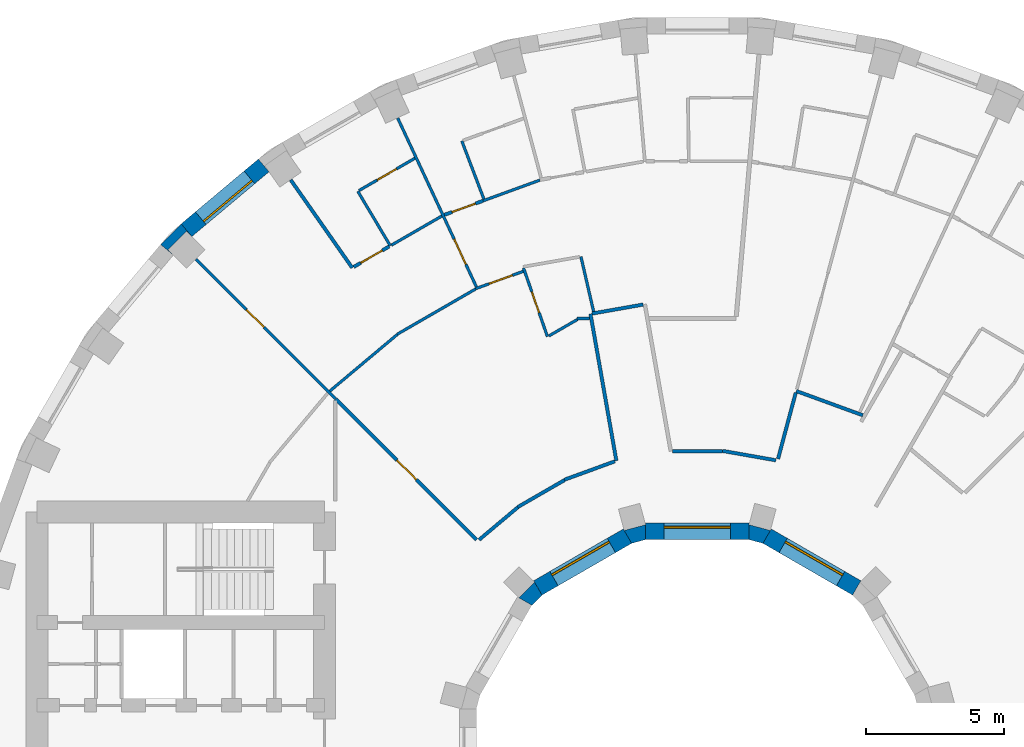
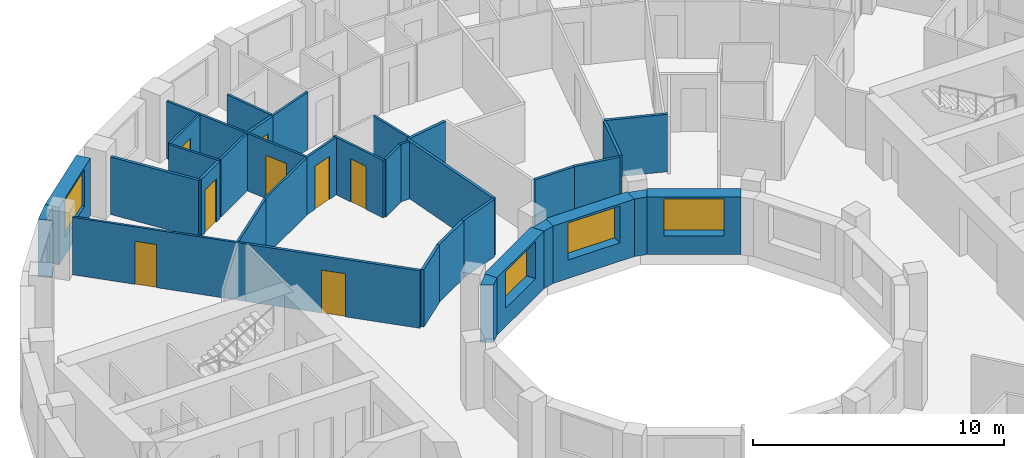
# One storey, part 11 of 16: 35 walls, 8 doors, 4 windows, 12 openings.
"""IFC4 building model written with IfcOpenShell, lengths in metres."""

from ifc_helpers import new_model, si_unit, direction, frame, frame_2d, origin, place, context, subcontext, project, spatial, polyline, rectangle, outline, extrude, material, layer, layer_set, type_object, element, fill, save


model = new_model("IFC4")

# Units and contexts
model_context = context("Model", 3, precision=1e-05, world=origin(), true_north=direction((0.0, 1.0)))
body_context = subcontext(model_context, "Body", "Model", "MODEL_VIEW")
ifc_project = project(units=[si_unit("LENGTHUNIT", "METRE"), si_unit("AREAUNIT", "SQUARE_METRE"), si_unit("VOLUMEUNIT", "CUBIC_METRE"), si_unit("PLANEANGLEUNIT", "RADIAN"), si_unit("MASSUNIT", "GRAM", prefix="KILO")], contexts=[model_context])

# Site, building, storey
site_placement = place(None, origin())
site = spatial("IfcSite", under=ifc_project, at=site_placement, CompositionType="ELEMENT")
building_placement = place(site_placement, origin())
building = spatial("IfcBuilding", under=site, at=building_placement, Name="Saqina Gate Tower", CompositionType="ELEMENT")
storey_placement = place(building_placement, frame((0.0, 0.0, 124.89990234375)))
storey = spatial("IfcBuildingStorey", under=building, at=storey_placement, Name="L35", CompositionType="ELEMENT", Elevation=124.89990234375)

# Wall
ifc_material_1 = material(Name="Brick masonry (buff)", Category="masonry")
wall_type_1 = type_object("IfcWallType", Name="BRICK PIER COPING BUFF", PredefinedType="SOLIDWALL", material=ifc_material_1)
wall_1_placement = place(storey_placement, origin())
element("IfcWall", 1, at=wall_1_placement, inside=storey, type_object=wall_type_1, Name="Pier cap L35 column 14", PredefinedType="SOLIDWALL", context=body_context, shape_type="SweptSolid", body=[
    extrude(outline(polyline([(-18.686279296875, 19.43212890625), (-19.43212890625, 18.686279296875), (-18.972412109375, 18.30078125), (-19.16259765625, 18.49072265625), (-18.49072265625, 19.16259765625), (-18.30078125, 18.972412109375), (-18.686279296875, 19.43212890625)])), origin(), (0.0, 0.0, 1.0), 2.800048828125),
])

# Wall, opening, window
ifc_material_2 = material(Name="Brick masonry (buff)", Category="masonry")
ifc_layer_1 = layer(ifc_material_2, 0.60009765625)
ifc_layer_set_1 = layer_set([ifc_layer_1], Name="FW-BRICK-BUFF")
wall_type_2 = type_object("IfcWallType", Name="FW-BRICK-BUFF", PredefinedType="SOLIDWALL", material=ifc_layer_set_1)
wall_2_placement = place(storey_placement, frame((-15.69921875, 21.547119140625, 0.0), z_axis=(0.0, 0.0, 1.0), x_axis=(-0.766055462616, -0.642774476932, 0.0)))
wall_2 = element("IfcWall", 2, at=wall_2_placement, inside=storey, type_object=wall_type_2, Name="Facade wall L35 facet 13", PredefinedType="SOLIDWALL", context=body_context, shape_type="SweptSolid", body=[
    extrude(rectangle(XDim=3.647705078125, YDim=0.60009765625, at=frame_2d((1.82373046875, 0.0))), origin(), (0.0, 0.0, 1.0), 2.800048828125),
])
opening_1_placement = place(wall_2_placement, frame((0.673828125, 0.0, 0.89990234375)))
opening_1 = element("IfcOpeningElement", 3, at=opening_1_placement, cuts=wall_2, Name="Opening G10-W11", PredefinedType="OPENING", context=body_context, shape_type="SweptSolid", body=[
    extrude(rectangle(XDim=2.300048828125, YDim=1.800048828125, at=frame_2d((1.14990234375, 0.89990234375))), frame((0.0, 0.31201171875, 0.0), z_axis=(0.0, -1.0, 0.0), x_axis=(1.0, 0.0, 0.0)), (0.0, 0.0, 1.0), 0.6240234375),
])
ifc_material_3 = material(Name="Aluminium glazing", Category="aluminium")
window_type_1 = type_object("IfcWindowType", Name="WN-B", PartitioningType="SINGLE_PANEL", PredefinedType="WINDOW", material=ifc_material_3)
window_1_placement = place(opening_1_placement, origin())
window_1 = element("IfcWindow", 4, at=window_1_placement, inside=storey, type_object=window_type_1, Name="Window L35 facet 13", OverallHeight=1.800048828125, OverallWidth=2.300048828125, PartitioningType="SINGLE_PANEL", PredefinedType="WINDOW", context=body_context, shape_type="SweptSolid", body=[
    extrude(rectangle(XDim=2.300048828125, YDim=1.800048828125, at=frame_2d((1.14990234375, 0.89990234375))), frame((0.0, 0.179931640625, 0.0), z_axis=(0.0, -1.0, 0.0), x_axis=(1.0, 0.0, 0.0)), (0.0, 0.0, 1.0), 0.06005859375),
])
fill(opening_1, window_1)

ifc_material_4 = material(Name="Glazed ceramic tile", Category="ceramic")
ifc_layer_2 = layer(ifc_material_4, 0.60009765625)
ifc_layer_set_2 = layer_set([ifc_layer_2], Name="IW-TILE")
wall_type_3 = type_object("IfcWallType", Name="IW-TILE", PredefinedType="SOLIDWALL", material=ifc_layer_set_2)
wall_3_placement = place(storey_placement, frame((5.772705078125, 6.251220703125, 0.0), z_axis=(0.0, 0.0, 1.0), x_axis=(-0.86604563398, 0.499964958637, 0.0)))
wall_3 = element("IfcWall", 5, at=wall_3_placement, inside=storey, type_object=wall_type_3, Name="Well wall L35 facet 2", PredefinedType="SOLIDWALL", context=body_context, shape_type="SweptSolid", body=[
    extrude(rectangle(XDim=3.747314453125, YDim=0.60009765625, at=frame_2d((1.87353515625, 0.0))), origin(), (0.0, 0.0, 1.0), 2.800048828125),
])
opening_2_placement = place(wall_3_placement, frame((0.673583984375, 0.0, 0.89990234375)))
opening_2 = element("IfcOpeningElement", 6, at=opening_2_placement, cuts=wall_3, Name="Opening G10-W24", PredefinedType="OPENING", context=body_context, shape_type="SweptSolid", body=[
    extrude(rectangle(XDim=2.39990234375, YDim=1.800048828125, at=frame_2d((1.199951171875, 0.89990234375))), frame((0.0, 0.31201171875, 0.0), z_axis=(0.0, -1.0, 0.0), x_axis=(1.0, 0.0, 0.0)), (0.0, 0.0, 1.0), 0.6240234375),
])
ifc_material_5 = material(Name="Aluminium glazing", Category="aluminium")
window_type_2 = type_object("IfcWindowType", Name="WN-W", PartitioningType="SINGLE_PANEL", PredefinedType="WINDOW", material=ifc_material_5)
window_2_placement = place(opening_2_placement, origin())
window_2 = element("IfcWindow", 7, at=window_2_placement, inside=storey, type_object=window_type_2, Name="Well window L35 facet 2", OverallHeight=1.800048828125, OverallWidth=2.39990234375, PartitioningType="SINGLE_PANEL", PredefinedType="WINDOW", context=body_context, shape_type="SweptSolid", body=[
    extrude(rectangle(XDim=2.39990234375, YDim=1.800048828125, at=frame_2d((1.199951171875, 0.89990234375))), frame((0.0, -0.119873046875, 0.0), z_axis=(0.0, -1.0, 0.0), x_axis=(1.0, 0.0, 0.0)), (0.0, 0.0, 1.0), 0.06005859375),
])
fill(opening_2, window_2)

wall_4_placement = place(storey_placement, frame((1.873779296875, 8.300048828125, 0.0), z_axis=(0.0, 0.0, 1.0), x_axis=(-1.0, 0.0, 0.0)))
wall_4 = element("IfcWall", 8, at=wall_4_placement, inside=storey, type_object=wall_type_3, Name="Well wall L35 facet 3", PredefinedType="SOLIDWALL", context=body_context, shape_type="SweptSolid", body=[
    extrude(rectangle(XDim=3.74755859375, YDim=0.60009765625, at=frame_2d((1.873779296875, 0.0))), origin(), (0.0, 0.0, 1.0), 2.800048828125),
])
opening_3_placement = place(wall_4_placement, frame((0.673583984375, 0.0, 0.89990234375)))
opening_3 = element("IfcOpeningElement", 9, at=opening_3_placement, cuts=wall_4, Name="Opening G10-W25", PredefinedType="OPENING", context=body_context, shape_type="SweptSolid", body=[
    extrude(rectangle(XDim=2.39990234375, YDim=1.800048828125, at=frame_2d((1.199951171875, 0.89990234375))), frame((0.0, 0.31201171875, 0.0), z_axis=(0.0, -1.0, 0.0), x_axis=(1.0, 0.0, 0.0)), (0.0, 0.0, 1.0), 0.6240234375),
])
window_3_placement = place(opening_3_placement, origin())
window_3 = element("IfcWindow", 10, at=window_3_placement, inside=storey, type_object=window_type_2, Name="Well window L35 facet 3", OverallHeight=1.800048828125, OverallWidth=2.39990234375, PartitioningType="SINGLE_PANEL", PredefinedType="WINDOW", context=body_context, shape_type="SweptSolid", body=[
    extrude(rectangle(XDim=2.39990234375, YDim=1.800048828125, at=frame_2d((1.199951171875, 0.89990234375))), frame((0.0, -0.119873046875, 0.0), z_axis=(0.0, -1.0, 0.0), x_axis=(1.0, 0.0, 0.0)), (0.0, 0.0, 1.0), 0.06005859375),
])
fill(opening_3, window_3)

wall_5_placement = place(storey_placement, frame((-2.52734375, 8.124755859375, 0.0), z_axis=(0.0, 0.0, 1.0), x_axis=(-0.86604563398, -0.499964958637, 0.0)))
wall_5 = element("IfcWall", 11, at=wall_5_placement, inside=storey, type_object=wall_type_3, Name="Well wall L35 facet 4", PredefinedType="SOLIDWALL", context=body_context, shape_type="SweptSolid", body=[
    extrude(rectangle(XDim=3.747314453125, YDim=0.60009765625, at=frame_2d((1.87353515625, 0.0))), origin(), (0.0, 0.0, 1.0), 2.800048828125),
])
opening_4_placement = place(wall_5_placement, frame((0.673583984375, 0.0, 0.89990234375)))
opening_4 = element("IfcOpeningElement", 12, at=opening_4_placement, cuts=wall_5, Name="Opening G10-W26", PredefinedType="OPENING", context=body_context, shape_type="SweptSolid", body=[
    extrude(rectangle(XDim=2.39990234375, YDim=1.800048828125, at=frame_2d((1.199951171875, 0.89990234375))), frame((0.0, 0.31201171875, 0.0), z_axis=(0.0, -1.0, 0.0), x_axis=(1.0, 0.0, 0.0)), (0.0, 0.0, 1.0), 0.6240234375),
])
window_4_placement = place(opening_4_placement, origin())
window_4 = element("IfcWindow", 13, at=window_4_placement, inside=storey, type_object=window_type_2, Name="Well window L35 facet 4", OverallHeight=1.800048828125, OverallWidth=2.39990234375, PartitioningType="SINGLE_PANEL", PredefinedType="WINDOW", context=body_context, shape_type="SweptSolid", body=[
    extrude(rectangle(XDim=2.39990234375, YDim=1.800048828125, at=frame_2d((1.199951171875, 0.89990234375))), frame((0.0, -0.119873046875, 0.0), z_axis=(0.0, -1.0, 0.0), x_axis=(1.0, 0.0, 0.0)), (0.0, 0.0, 1.0), 0.06005859375),
])
fill(opening_4, window_4)

# Wall
ifc_material_6 = material(Name="Gypsum board on steel studs, 100 mm", Category="steel")
ifc_layer_3 = layer(ifc_material_6, 0.10009765625)
ifc_layer_set_3 = layer_set([ifc_layer_3], Name="PARTITION 100")
wall_type_4 = type_object("IfcWallType", Name="PARTITION 100", PredefinedType="PARTITIONING", material=ifc_layer_set_3)
wall_6_placement = place(storey_placement, frame((-4.2119140625, 18.24609375, 0.0), z_axis=(0.0, 0.0, 1.0), x_axis=(0.224815815327, -0.974401277287, 0.0)))
element("IfcWall", 14, at=wall_6_placement, inside=storey, type_object=wall_type_4, Name="PARTITION PW3-06", PredefinedType="PARTITIONING", context=body_context, shape_type="SweptSolid", body=[
    extrude(rectangle(XDim=2.04052734375, YDim=0.10009765625, at=frame_2d((1.020263671875, 0.0))), origin(), (0.0, 0.0, 1.0), 2.800048828125),
])

# Wall, opening, door
wall_7_placement = place(storey_placement, frame((-6.2919921875, 17.8349609375, 0.0), z_axis=(0.0, 0.0, 1.0), x_axis=(0.329581778564, -0.944127031304, 0.0)))
wall_7 = element("IfcWall", 15, at=wall_7_placement, inside=storey, type_object=wall_type_4, Name="PARTITION PW3-09", PredefinedType="PARTITIONING", context=body_context, shape_type="SweptSolid", body=[
    extrude(rectangle(XDim=2.6318359375, YDim=0.10009765625, at=frame_2d((1.31591796875, 0.0))), origin(), (0.0, 0.0, 1.0), 2.800048828125),
])
opening_5_placement = place(wall_7_placement, frame((0.916015625, 0.0, 0.0)))
opening_5 = element("IfcOpeningElement", 16, at=opening_5_placement, cuts=wall_7, Name="Opening G10-D21", PredefinedType="OPENING", context=body_context, shape_type="SweptSolid", body=[
    extrude(rectangle(XDim=0.800048828125, YDim=2.10009765625, at=frame_2d((0.39990234375, 1.050048828125))), frame((0.0, 0.06201171875, 0.0), z_axis=(0.0, -1.0, 0.0), x_axis=(1.0, 0.0, 0.0)), (0.0, 0.0, 1.0), 0.1240234375),
])
ifc_material_7 = material(Name="Timber door leaf, 800 mm", Category="wood")
door_type_1 = type_object("IfcDoorType", Name="DOOR 800 TIMBER", OperationType="SINGLE_SWING_LEFT", PredefinedType="DOOR", material=ifc_material_7)
door_1_placement = place(opening_5_placement, frame((0.800048828125, 0.0, 0.0), z_axis=(0.0, 0.0, 1.0), x_axis=(-1.0, 0.0, 0.0)))
door_1 = element("IfcDoor", 17, at=door_1_placement, inside=storey, type_object=door_type_1, Name="DOOR G10-D21", OperationType="SINGLE_SWING_RIGHT", OverallHeight=2.10009765625, OverallWidth=0.800048828125, PredefinedType="DOOR", context=body_context, shape_type="SweptSolid", body=[
    extrude(rectangle(XDim=0.800048828125, YDim=2.10009765625, at=frame_2d((0.39990234375, 1.050048828125))), frame((0.0, 0.02490234375, 0.0), z_axis=(0.0, -1.0, 0.0), x_axis=(1.0, 0.0, 0.0)), (0.0, 0.0, 1.0), 0.050048828125),
])
fill(opening_5, door_1)

# Wall
wall_8_placement = place(storey_placement, frame((-8.52587890625, 22.43408203125, 0.0), z_axis=(0.0, 0.0, 1.0), x_axis=(0.355151387301, -0.934808799754, 0.0)))
element("IfcWall", 18, at=wall_8_placement, inside=storey, type_object=wall_type_4, Name="PARTITION PW3-10", PredefinedType="PARTITIONING", context=body_context, shape_type="SweptSolid", body=[
    extrude(rectangle(XDim=2.25, YDim=0.10009765625, at=frame_2d((1.125, 0.0))), origin(), (0.0, 0.0, 1.0), 2.800048828125),
])

# Wall, opening, door
wall_9_placement = place(storey_placement, frame((-10.846435546875, 23.26025390625, 0.0), z_axis=(0.0, 0.0, 1.0), x_axis=(0.422617898312, -0.906307956506, 0.0)))
wall_9 = element("IfcWall", 19, at=wall_9_placement, inside=storey, type_object=wall_type_4, Name="PARTITION PW3-13", PredefinedType="PARTITIONING", context=body_context, shape_type="SweptSolid", body=[
    extrude(rectangle(XDim=6.743896484375, YDim=0.10009765625, at=frame_2d((3.3720703125, 0.0))), origin(), (0.0, 0.0, 1.0), 2.800048828125),
])
opening_6_placement = place(wall_9_placement, frame((4.839111328125, 0.0, 0.0)))
opening_6 = element("IfcOpeningElement", 20, at=opening_6_placement, cuts=wall_9, Name="Opening G10-D24", PredefinedType="OPENING", context=body_context, shape_type="SweptSolid", body=[
    extrude(rectangle(XDim=1.0, YDim=2.10009765625, at=frame_2d((0.5, 1.050048828125))), frame((0.0, 0.06201171875, 0.0), z_axis=(0.0, -1.0, 0.0), x_axis=(1.0, 0.0, 0.0)), (0.0, 0.0, 1.0), 0.1240234375),
])
ifc_material_8 = material(Name="Timber door leaf, 1000 mm", Category="wood")
door_type_2 = type_object("IfcDoorType", Name="DOOR 1000 TIMBER", OperationType="SINGLE_SWING_LEFT", PredefinedType="DOOR", material=ifc_material_8)
door_2_placement = place(opening_6_placement, origin())
door_2 = element("IfcDoor", 21, at=door_2_placement, inside=storey, type_object=door_type_2, Name="DOOR G10-D24", OperationType="SINGLE_SWING_RIGHT", OverallHeight=2.10009765625, OverallWidth=1.0, PredefinedType="DOOR", context=body_context, shape_type="SweptSolid", body=[
    extrude(rectangle(XDim=1.0, YDim=2.10009765625, at=frame_2d((0.5, 1.050048828125))), frame((0.0, 0.02490234375, 0.0), z_axis=(0.0, -1.0, 0.0), x_axis=(1.0, 0.0, 0.0)), (0.0, 0.0, 1.0), 0.050048828125),
])
fill(opening_6, door_2)

# Wall
wall_10_placement = place(storey_placement, frame((-12.2919921875, 20.613037109375, 0.0), z_axis=(0.0, 0.0, 1.0), x_axis=(0.512043462342, -0.858959540766, 0.0)))
element("IfcWall", 22, at=wall_10_placement, inside=storey, type_object=wall_type_4, Name="PARTITION PW3-17", PredefinedType="PARTITIONING", context=body_context, shape_type="SweptSolid", body=[
    extrude(rectangle(XDim=2.300537109375, YDim=0.10009765625, at=frame_2d((1.150390625, 0.0))), origin(), (0.0, 0.0, 1.0), 2.800048828125),
])

# Wall, opening, door
wall_11_placement = place(storey_placement, frame((-18.14794921875, 18.14794921875, 0.0), z_axis=(0.0, 0.0, 1.0), x_axis=(0.707106781187, -0.707106781187, 0.0)))
wall_11 = element("IfcWall", 23, at=wall_11_placement, inside=storey, type_object=wall_type_4, Name="PARTITION PW3-26", PredefinedType="PARTITIONING", context=body_context, shape_type="SweptSolid", body=[
    extrude(rectangle(XDim=7.138671875, YDim=0.10009765625, at=frame_2d((3.5693359375, 0.0))), origin(), (0.0, 0.0, 1.0), 2.800048828125),
])
opening_7_placement = place(wall_11_placement, frame((2.57958984375, 0.0, 0.0)))
opening_7 = element("IfcOpeningElement", 24, at=opening_7_placement, cuts=wall_11, Name="Opening G10-D28", PredefinedType="OPENING", context=body_context, shape_type="SweptSolid", body=[
    extrude(rectangle(XDim=0.89990234375, YDim=2.10009765625, at=frame_2d((0.449951171875, 1.050048828125))), frame((0.0, 0.06201171875, 0.0), z_axis=(0.0, -1.0, 0.0), x_axis=(1.0, 0.0, 0.0)), (0.0, 0.0, 1.0), 0.1240234375),
])
ifc_material_9 = material(Name="Timber door leaf, 900 mm", Category="wood")
door_type_3 = type_object("IfcDoorType", Name="DOOR 900 TIMBER", OperationType="SINGLE_SWING_LEFT", PredefinedType="DOOR", material=ifc_material_9)
door_3_placement = place(opening_7_placement, frame((0.89990234375, 0.0, 0.0), z_axis=(0.0, 0.0, 1.0), x_axis=(-1.0, 0.0, 0.0)))
door_3 = element("IfcDoor", 25, at=door_3_placement, inside=storey, type_object=door_type_3, Name="DOOR G10-D28", OperationType="SINGLE_SWING_RIGHT", OverallHeight=2.10009765625, OverallWidth=0.89990234375, PredefinedType="DOOR", context=body_context, shape_type="SweptSolid", body=[
    extrude(rectangle(XDim=0.89990234375, YDim=2.10009765625, at=frame_2d((0.449951171875, 1.050048828125))), frame((0.0, 0.02490234375, 0.0), z_axis=(0.0, -1.0, 0.0), x_axis=(1.0, 0.0, 0.0)), (0.0, 0.0, 1.0), 0.050048828125),
])
fill(opening_7, door_3)

# Wall
wall_12_placement = place(storey_placement, frame((-4.345703125, 16.001953125, 0.0), z_axis=(0.0, 0.0, 1.0), x_axis=(1.0, 0.0, 0.0)))
element("IfcWall", 26, at=wall_12_placement, inside=storey, type_object=wall_type_4, Name="PARTITION PW3-54", PredefinedType="PARTITIONING", context=body_context, shape_type="SweptSolid", body=[
    extrude(rectangle(XDim=0.44677734375, YDim=0.10009765625, at=frame_2d((0.223388671875, 0.0))), origin(), (0.0, 0.0, 1.0), 2.800048828125),
])

# Wall, opening, door
wall_13_placement = place(storey_placement, frame((-8.022705078125, 17.085693359375, 0.0), z_axis=(0.0, 0.0, 1.0), x_axis=(0.93970385633, 0.341989272345, 0.0)))
wall_13 = element("IfcWall", 27, at=wall_13_placement, inside=storey, type_object=wall_type_4, Name="PARTITION PW3-65", PredefinedType="PARTITIONING", context=body_context, shape_type="SweptSolid", body=[
    extrude(rectangle(XDim=1.8310546875, YDim=0.10009765625, at=frame_2d((0.91552734375, 0.0))), origin(), (0.0, 0.0, 1.0), 2.800048828125),
])
opening_8_placement = place(wall_13_placement, frame((0.51611328125, 0.0, 0.0)))
opening_8 = element("IfcOpeningElement", 28, at=opening_8_placement, cuts=wall_13, Name="Opening G10-D22", PredefinedType="OPENING", context=body_context, shape_type="SweptSolid", body=[
    extrude(rectangle(XDim=0.89990234375, YDim=2.10009765625, at=frame_2d((0.449951171875, 1.050048828125))), frame((0.0, 0.06201171875, 0.0), z_axis=(0.0, -1.0, 0.0), x_axis=(1.0, 0.0, 0.0)), (0.0, 0.0, 1.0), 0.1240234375),
])
door_4_placement = place(opening_8_placement, frame((0.89990234375, 0.0, 0.0), z_axis=(0.0, 0.0, 1.0), x_axis=(-1.0, 0.0, 0.0)))
door_4 = element("IfcDoor", 29, at=door_4_placement, inside=storey, type_object=door_type_3, Name="DOOR G10-D22", OperationType="SINGLE_SWING_LEFT", OverallHeight=2.10009765625, OverallWidth=0.89990234375, PredefinedType="DOOR", context=body_context, shape_type="SweptSolid", body=[
    extrude(rectangle(XDim=0.89990234375, YDim=2.10009765625, at=frame_2d((0.449951171875, 1.050048828125))), frame((0.0, 0.02490234375, 0.0), z_axis=(0.0, -1.0, 0.0), x_axis=(1.0, 0.0, 0.0)), (0.0, 0.0, 1.0), 0.050048828125),
])
fill(opening_8, door_4)

# Walls
wall_14_placement = place(storey_placement, frame((-7.75927734375, 20.265380859375, 0.0), z_axis=(0.0, 0.0, 1.0), x_axis=(0.9397154993, 0.341957278581, 0.0)))
element("IfcWall", 30, at=wall_14_placement, inside=storey, type_object=wall_type_4, Name="PARTITION PW3-66", PredefinedType="PARTITIONING", context=body_context, shape_type="SweptSolid", body=[
    extrude(rectangle(XDim=2.196044921875, YDim=0.10009765625, at=frame_2d((1.09814453125, 0.0))), origin(), (0.0, 0.0, 1.0), 2.800048828125),
])
wall_15_placement = place(storey_placement, frame((-5.37158203125, 15.3740234375, 0.0), z_axis=(0.0, 0.0, 1.0), x_axis=(0.866111216017, 0.499851339389, 0.0)))
element("IfcWall", 31, at=wall_15_placement, inside=storey, type_object=wall_type_4, Name="PARTITION PW3-71", PredefinedType="PARTITIONING", context=body_context, shape_type="SweptSolid", body=[
    extrude(rectangle(XDim=1.202392578125, YDim=0.10009765625, at=frame_2d((0.60107421875, 0.0))), origin(), (0.0, 0.0, 1.0), 2.800048828125),
])
wall_16_placement = place(storey_placement, frame((-10.867919921875, 15.4326171875, 0.0), z_axis=(0.0, 0.0, 1.0), x_axis=(0.866020017222, 0.500009329683, 0.0)))
element("IfcWall", 32, at=wall_16_placement, inside=storey, type_object=wall_type_4, Name="PARTITION PW3-72", PredefinedType="PARTITIONING", context=body_context, shape_type="SweptSolid", body=[
    extrude(rectangle(XDim=3.29052734375, YDim=0.10009765625, at=frame_2d((1.645263671875, 0.0))), origin(), (0.0, 0.0, 1.0), 2.800048828125),
])
wall_17_placement = place(storey_placement, frame((-11.07080078125, 18.662109375, 0.0), z_axis=(0.0, 0.0, 1.0), x_axis=(0.865870655861, 0.50026793553, 0.0)))
element("IfcWall", 33, at=wall_17_placement, inside=storey, type_object=wall_type_4, Name="PARTITION PW3-73", PredefinedType="PARTITIONING", context=body_context, shape_type="SweptSolid", body=[
    extrude(rectangle(XDim=2.104736328125, YDim=0.10009765625, at=frame_2d((1.05224609375, 0.0))), origin(), (0.0, 0.0, 1.0), 2.800048828125),
])

# Wall, opening, door
wall_18_placement = place(storey_placement, frame((-12.248779296875, 20.637939453125, 0.0), z_axis=(0.0, 0.0, 1.0), x_axis=(0.866076057046, 0.499912255713, 0.0)))
wall_18 = element("IfcWall", 34, at=wall_18_placement, inside=storey, type_object=wall_type_4, Name="PARTITION PW3-74", PredefinedType="PARTITIONING", context=body_context, shape_type="SweptSolid", body=[
    extrude(rectangle(XDim=2.33837890625, YDim=0.10009765625, at=frame_2d((1.169189453125, 0.0))), origin(), (0.0, 0.0, 1.0), 2.800048828125),
])
opening_9_placement = place(wall_18_placement, frame((0.769287109375, 0.0, 0.0)))
opening_9 = element("IfcOpeningElement", 35, at=opening_9_placement, cuts=wall_18, Name="Opening G10-D25", PredefinedType="OPENING", context=body_context, shape_type="SweptSolid", body=[
    extrude(rectangle(XDim=0.800048828125, YDim=2.10009765625, at=frame_2d((0.39990234375, 1.050048828125))), frame((0.0, 0.06201171875, 0.0), z_axis=(0.0, -1.0, 0.0), x_axis=(1.0, 0.0, 0.0)), (0.0, 0.0, 1.0), 0.1240234375),
])
door_5_placement = place(opening_9_placement, origin())
door_5 = element("IfcDoor", 36, at=door_5_placement, inside=storey, type_object=door_type_1, Name="DOOR G10-D25", OperationType="SINGLE_SWING_RIGHT", OverallHeight=2.10009765625, OverallWidth=0.800048828125, PredefinedType="DOOR", context=body_context, shape_type="SweptSolid", body=[
    extrude(rectangle(XDim=0.800048828125, YDim=2.10009765625, at=frame_2d((0.39990234375, 1.050048828125))), frame((0.0, 0.02490234375, 0.0), z_axis=(0.0, -1.0, 0.0), x_axis=(1.0, 0.0, 0.0)), (0.0, 0.0, 1.0), 0.050048828125),
])
fill(opening_9, door_5)

# Walls
wall_19_placement = place(storey_placement, frame((-13.3056640625, 13.376220703125, 0.0), z_axis=(0.0, 0.0, 1.0), x_axis=(0.766146553843, 0.642665899232, 0.0)))
element("IfcWall", 37, at=wall_19_placement, inside=storey, type_object=wall_type_4, Name="PARTITION PW3-80", PredefinedType="PARTITIONING", context=body_context, shape_type="SweptSolid", body=[
    extrude(rectangle(XDim=3.189208984375, YDim=0.10009765625, at=frame_2d((1.5947265625, 0.0))), origin(), (0.0, 0.0, 1.0), 2.800048828125),
])
ifc_material_10 = material(Name="Gypsum board on steel studs, 125 mm, fire rated", Category="steel")
ifc_layer_4 = layer(ifc_material_10, 0.125)
ifc_layer_set_4 = layer_set([ifc_layer_4], Name="PARTITION EI 30 125")
wall_type_5 = type_object("IfcWallType", Name="PARTITION EI 30 125", PredefinedType="PARTITIONING", material=ifc_layer_set_4)
wall_20_placement = place(storey_placement, frame((-3.866943359375, 16.174072265625, 0.0), z_axis=(0.0, 0.0, 1.0), x_axis=(0.173602314867, -0.98481583876, 0.0)))
element("IfcWall", 38, at=wall_20_placement, inside=storey, type_object=wall_type_5, Name="PARTITION PW1-01", PredefinedType="PARTITIONING", context=body_context, shape_type="SweptSolid", body=[
    extrude(rectangle(XDim=5.403076171875, YDim=0.125, at=frame_2d((2.70166015625, 0.0))), origin(), (0.0, 0.0, 1.0), 2.800048828125),
])
wall_21_placement = place(storey_placement, frame((-14.720703125, 21.023681640625, 0.0), z_axis=(0.0, 0.0, 1.0), x_axis=(0.573453908861, -0.819237825306, 0.0)))
element("IfcWall", 39, at=wall_21_placement, inside=storey, type_object=wall_type_5, Name="PARTITION PW1-05", PredefinedType="PARTITIONING", context=body_context, shape_type="SweptSolid", body=[
    extrude(rectangle(XDim=3.884765625, YDim=0.125, at=frame_2d((1.9423828125, 0.0))), origin(), (0.0, 0.0, 1.0), 2.800048828125),
])

# Wall, opening, door
wall_22_placement = place(storey_placement, frame((-13.0859375, 13.0859375, 0.0), z_axis=(0.0, 0.0, 1.0), x_axis=(0.707208486583, -0.707005061159, 0.0)))
wall_22 = element("IfcWall", 40, at=wall_22_placement, inside=storey, type_object=wall_type_5, Name="PARTITION PW1-10", PredefinedType="PARTITIONING", context=body_context, shape_type="SweptSolid", body=[
    extrude(rectangle(XDim=7.200927734375, YDim=0.125, at=frame_2d((3.6005859375, 0.0))), origin(), (0.0, 0.0, 1.0), 2.800048828125),
])
opening_10_placement = place(wall_22_placement, frame((3.12646484375, 0.0, 0.0)))
opening_10 = element("IfcOpeningElement", 41, at=opening_10_placement, cuts=wall_22, Name="Opening G10-D27", PredefinedType="OPENING", context=body_context, shape_type="SweptSolid", body=[
    extrude(rectangle(XDim=1.0, YDim=2.10009765625, at=frame_2d((0.5, 1.050048828125))), frame((0.0, 0.074462890625, 0.0), z_axis=(0.0, -1.0, 0.0), x_axis=(1.0, 0.0, 0.0)), (0.0, 0.0, 1.0), 0.14892578125),
])
ifc_material_11 = material(Name="Fire door leaf EI 30, 1000 mm")
door_type_4 = type_object("IfcDoorType", Name="DOOR 1000 EI 30", OperationType="SINGLE_SWING_LEFT", PredefinedType="DOOR", material=ifc_material_11)
door_6_placement = place(opening_10_placement, origin())
door_6 = element("IfcDoor", 42, at=door_6_placement, inside=storey, type_object=door_type_4, Name="DOOR G10-D27", OperationType="SINGLE_SWING_RIGHT", OverallHeight=2.10009765625, OverallWidth=1.0, PredefinedType="DOOR", context=body_context, shape_type="SweptSolid", body=[
    extrude(rectangle(XDim=1.0, YDim=2.10009765625, at=frame_2d((0.5, 1.050048828125))), frame((0.0, 0.02490234375, 0.0), z_axis=(0.0, -1.0, 0.0), x_axis=(1.0, 0.0, 0.0)), (0.0, 0.0, 1.0), 0.050048828125),
])
fill(opening_10, door_6)

# Walls
wall_23_placement = place(storey_placement, frame((3.585205078125, 13.378662109375, 0.0), z_axis=(0.0, 0.0, 1.0), x_axis=(0.939651552045, -0.342132957691, 0.0)))
element("IfcWall", 43, at=wall_23_placement, inside=storey, type_object=wall_type_5, Name="PARTITION PW1-22", PredefinedType="PARTITIONING", context=body_context, shape_type="SweptSolid", body=[
    extrude(rectangle(XDim=2.56396484375, YDim=0.125, at=frame_2d((1.281982421875, 0.0))), origin(), (0.0, 0.0, 1.0), 2.800048828125),
])
wall_24_placement = place(storey_placement, frame((0.91748046875, 11.2109375, 0.0), z_axis=(0.0, 0.0, 1.0), x_axis=(0.984842502131, -0.173450990183, 0.0)))
element("IfcWall", 44, at=wall_24_placement, inside=storey, type_object=wall_type_5, Name="PARTITION PW1-25", PredefinedType="PARTITIONING", context=body_context, shape_type="SweptSolid", body=[
    extrude(rectangle(XDim=1.9580078125, YDim=0.125, at=frame_2d((0.97900390625, 0.0))), origin(), (0.0, 0.0, 1.0), 2.800048828125),
])
wall_25_placement = place(storey_placement, frame((-0.896484375, 11.199951171875, 0.0), z_axis=(0.0, 0.0, 1.0), x_axis=(1.0, 0.0, 0.0)))
element("IfcWall", 45, at=wall_25_placement, inside=storey, type_object=wall_type_5, Name="PARTITION PW1-29", PredefinedType="PARTITIONING", context=body_context, shape_type="SweptSolid", body=[
    extrude(rectangle(XDim=1.81396484375, YDim=0.125, at=frame_2d((0.906982421875, 0.0))), origin(), (0.0, 0.0, 1.0), 2.800048828125),
])
wall_26_placement = place(storey_placement, frame((-3.805419921875, 16.184814453125, 0.0), z_axis=(0.0, 0.0, 1.0), x_axis=(0.984829460828, 0.173525021494, 0.0)))
element("IfcWall", 46, at=wall_26_placement, inside=storey, type_object=wall_type_5, Name="PARTITION PW1-33", PredefinedType="PARTITIONING", context=body_context, shape_type="SweptSolid", body=[
    extrude(rectangle(XDim=1.87255859375, YDim=0.125, at=frame_2d((0.936279296875, 0.0))), origin(), (0.0, 0.0, 1.0), 2.800048828125),
])
wall_27_placement = place(storey_placement, frame((-4.810546875, 10.167236328125, 0.0), z_axis=(0.0, 0.0, 1.0), x_axis=(0.939506513074, 0.34253103785, 0.0)))
element("IfcWall", 47, at=wall_27_placement, inside=storey, type_object=wall_type_5, Name="PARTITION PW1-37", PredefinedType="PARTITIONING", context=body_context, shape_type="SweptSolid", body=[
    extrude(rectangle(XDim=1.940185546875, YDim=0.125, at=frame_2d((0.97021484375, 0.0))), origin(), (0.0, 0.0, 1.0), 2.800048828125),
])

# Wall, opening, door
wall_28_placement = place(storey_placement, frame((-9.157958984375, 19.757080078125, 0.0), z_axis=(0.0, 0.0, 1.0), x_axis=(0.939793423488, 0.341743063087, 0.0)))
wall_28 = element("IfcWall", 48, at=wall_28_placement, inside=storey, type_object=wall_type_5, Name="PARTITION PW1-38", PredefinedType="PARTITIONING", context=body_context, shape_type="SweptSolid", body=[
    extrude(rectangle(XDim=1.49169921875, YDim=0.125, at=frame_2d((0.745849609375, 0.0))), origin(), (0.0, 0.0, 1.0), 2.800048828125),
])
opening_11_placement = place(wall_28_placement, frame((0.2958984375, 0.0, 0.0)))
opening_11 = element("IfcOpeningElement", 49, at=opening_11_placement, cuts=wall_28, Name="Opening G10-D23", PredefinedType="OPENING", context=body_context, shape_type="SweptSolid", body=[
    extrude(rectangle(XDim=0.89990234375, YDim=2.10009765625, at=frame_2d((0.449951171875, 1.050048828125))), frame((0.0, 0.074462890625, 0.0), z_axis=(0.0, -1.0, 0.0), x_axis=(1.0, 0.0, 0.0)), (0.0, 0.0, 1.0), 0.14892578125),
])
ifc_material_12 = material(Name="Fire door leaf EI 30, 900 mm")
door_type_5 = type_object("IfcDoorType", Name="DOOR 900 EI 30", OperationType="SINGLE_SWING_LEFT", PredefinedType="DOOR", material=ifc_material_12)
door_7_placement = place(opening_11_placement, frame((0.89990234375, 0.0, 0.0), z_axis=(0.0, 0.0, 1.0), x_axis=(-1.0, 0.0, 0.0)))
door_7 = element("IfcDoor", 50, at=door_7_placement, inside=storey, type_object=door_type_5, Name="DOOR G10-D23", OperationType="SINGLE_SWING_RIGHT", OverallHeight=2.10009765625, OverallWidth=0.89990234375, PredefinedType="DOOR", context=body_context, shape_type="SweptSolid", body=[
    extrude(rectangle(XDim=0.89990234375, YDim=2.10009765625, at=frame_2d((0.449951171875, 1.050048828125))), frame((0.0, 0.02490234375, 0.0), z_axis=(0.0, -1.0, 0.0), x_axis=(1.0, 0.0, 0.0)), (0.0, 0.0, 1.0), 0.050048828125),
])
fill(opening_11, door_7)

# Wall
wall_29_placement = place(storey_placement, frame((-6.50244140625, 9.176513671875, 0.0), z_axis=(0.0, 0.0, 1.0), x_axis=(0.866328596722, 0.499474486338, 0.0)))
element("IfcWall", 51, at=wall_29_placement, inside=storey, type_object=wall_type_5, Name="PARTITION PW1-41", PredefinedType="PARTITIONING", context=body_context, shape_type="SweptSolid", body=[
    extrude(rectangle(XDim=1.96044921875, YDim=0.125, at=frame_2d((0.980224609375, 0.0))), origin(), (0.0, 0.0, 1.0), 2.800048828125),
])

# Wall, opening, door
wall_30_placement = place(storey_placement, frame((-12.435302734375, 17.874267578125, 0.0), z_axis=(0.0, 0.0, 1.0), x_axis=(0.866056109487, 0.499946812391, 0.0)))
wall_30 = element("IfcWall", 52, at=wall_30_placement, inside=storey, type_object=wall_type_5, Name="PARTITION PW1-42", PredefinedType="PARTITIONING", context=body_context, shape_type="SweptSolid", body=[
    extrude(rectangle(XDim=1.475830078125, YDim=0.125, at=frame_2d((0.73779296875, 0.0))), origin(), (0.0, 0.0, 1.0), 2.800048828125),
])
opening_12_placement = place(wall_30_placement, frame((0.292724609375, 0.0, 0.0)))
opening_12 = element("IfcOpeningElement", 53, at=opening_12_placement, cuts=wall_30, Name="Opening G10-D26", PredefinedType="OPENING", context=body_context, shape_type="SweptSolid", body=[
    extrude(rectangle(XDim=0.89990234375, YDim=2.10009765625, at=frame_2d((0.449951171875, 1.050048828125))), frame((0.0, 0.074462890625, 0.0), z_axis=(0.0, -1.0, 0.0), x_axis=(1.0, 0.0, 0.0)), (0.0, 0.0, 1.0), 0.14892578125),
])
door_8_placement = place(opening_12_placement, frame((0.89990234375, 0.0, 0.0), z_axis=(0.0, 0.0, 1.0), x_axis=(-1.0, 0.0, 0.0)))
door_8 = element("IfcDoor", 54, at=door_8_placement, inside=storey, type_object=door_type_5, Name="DOOR G10-D26", OperationType="SINGLE_SWING_LEFT", OverallHeight=2.10009765625, OverallWidth=0.89990234375, PredefinedType="DOOR", context=body_context, shape_type="SweptSolid", body=[
    extrude(rectangle(XDim=0.89990234375, YDim=2.10009765625, at=frame_2d((0.449951171875, 1.050048828125))), frame((0.0, 0.02490234375, 0.0), z_axis=(0.0, -1.0, 0.0), x_axis=(1.0, 0.0, 0.0)), (0.0, 0.0, 1.0), 0.050048828125),
])
fill(opening_12, door_8)

# Walls
wall_31_placement = place(storey_placement, frame((-7.902099609375, 7.990234375, 0.0), z_axis=(0.0, 0.0, 1.0), x_axis=(0.765904046375, 0.642954890911, 0.0)))
element("IfcWall", 55, at=wall_31_placement, inside=storey, type_object=wall_type_5, Name="PARTITION PW1-46", PredefinedType="PARTITIONING", context=body_context, shape_type="SweptSolid", body=[
    extrude(rectangle(XDim=1.834716796875, YDim=0.125, at=frame_2d((0.91748046875, 0.0))), origin(), (0.0, 0.0, 1.0), 2.800048828125),
])
wall_32_placement = place(storey_placement, frame((2.92333984375, 10.9208984375, 0.0), z_axis=(0.0, 0.0, 1.0), x_axis=(0.258837674225, 0.965920834438, 0.0)))
element("IfcWall", 56, at=wall_32_placement, inside=storey, type_object=wall_type_5, Name="PARTITION PW1-55", PredefinedType="PARTITIONING", context=body_context, shape_type="SweptSolid", body=[
    extrude(rectangle(XDim=2.482666015625, YDim=0.125, at=frame_2d((1.2412109375, 0.0))), origin(), (0.0, 0.0, 1.0), 2.800048828125),
])
ifc_material_13 = material(Name="Glazed ceramic tile", Category="ceramic")
wall_type_6 = type_object("IfcWallType", Name="TILE PIER COPING", PredefinedType="SOLIDWALL", material=ifc_material_13)
wall_33_placement = place(storey_placement, origin())
element("IfcWall", 57, at=wall_33_placement, inside=storey, type_object=wall_type_6, Name="Well pier cap L35 column 3", PredefinedType="SOLIDWALL", context=body_context, shape_type="SweptSolid", body=[
    extrude(outline(polyline([(1.873779296875, 8.5380859375), (1.873779296875, 8.0), (2.377197265625, 7.864990234375), (2.646484375, 8.3310546875), (1.873779296875, 8.5380859375)])), origin(), (0.0, 0.0, 1.0), 2.800048828125),
])
wall_34_placement = place(storey_placement, origin())
element("IfcWall", 58, at=wall_34_placement, inside=storey, type_object=wall_type_6, Name="Well pier cap L35 column 4", PredefinedType="SOLIDWALL", context=body_context, shape_type="SweptSolid", body=[
    extrude(outline(polyline([(-2.646484375, 8.3310546875), (-2.377197265625, 7.864990234375), (-1.873779296875, 8.0), (-1.873779296875, 8.5380859375), (-2.646484375, 8.3310546875)])), origin(), (0.0, 0.0, 1.0), 2.800048828125),
])
wall_35_placement = place(storey_placement, origin())
element("IfcWall", 59, at=wall_35_placement, inside=storey, type_object=wall_type_6, Name="Well pier cap L35 column 5", PredefinedType="SOLIDWALL", context=body_context, shape_type="SweptSolid", body=[
    extrude(outline(polyline([(-6.45751953125, 5.891845703125), (-5.991455078125, 5.622802734375), (-5.622802734375, 5.991455078125), (-5.891845703125, 6.45751953125), (-6.45751953125, 5.891845703125)])), origin(), (0.0, 0.0, 1.0), 2.800048828125),
])

save(model, "model.ifc")
